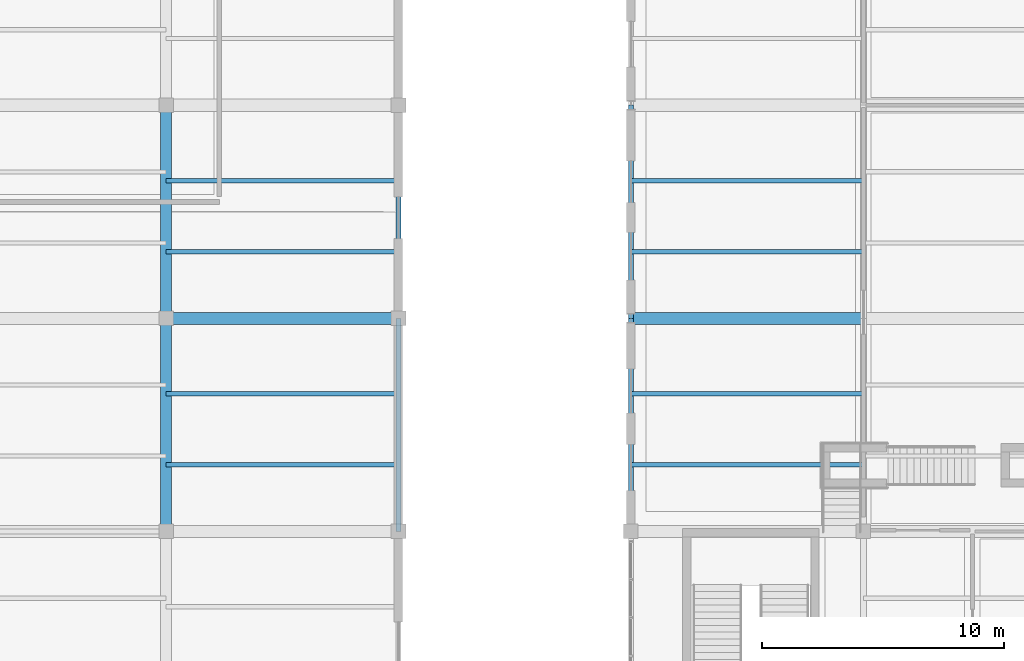
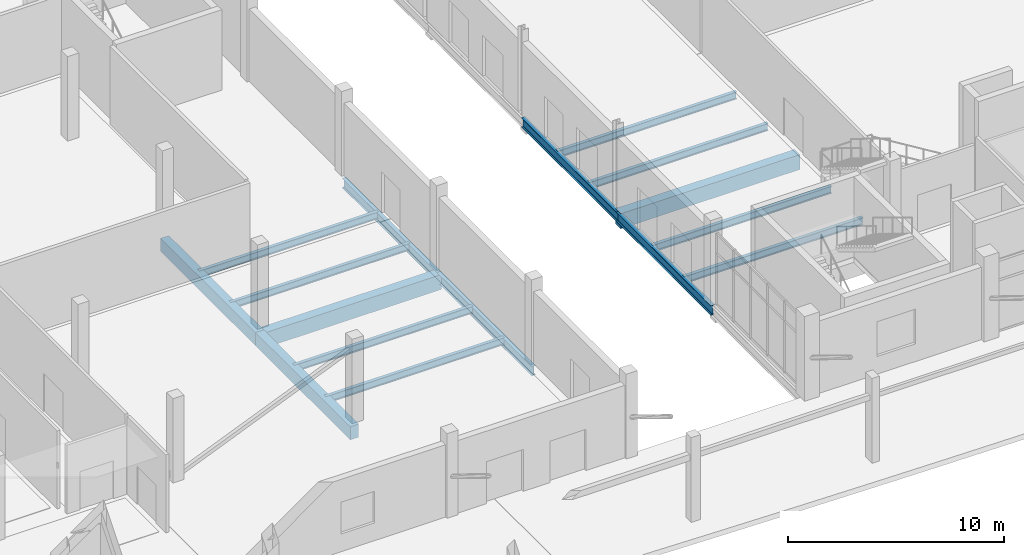
# One storey, part 25 of 116: 16 beams.
"""IFC4 building model written with IfcOpenShell, lengths in metres."""

from ifc_helpers import new_model, si_unit, direction, frame, origin, origin_2d, place, context, subcontext, project, spatial, rectangle, i_section, extrude, material, material_profile, profile_set, type_object, element, save


model = new_model("IFC4")

# Units and contexts
model_context = context("Model", 3, precision=1e-05, world=origin(), true_north=direction((0.0, 1.0)))
body_context = subcontext(model_context, "Body", "Model", "MODEL_VIEW")
ifc_project = project(units=[si_unit("LENGTHUNIT", "METRE"), si_unit("AREAUNIT", "SQUARE_METRE"), si_unit("VOLUMEUNIT", "CUBIC_METRE"), si_unit("PLANEANGLEUNIT", "RADIAN"), si_unit("MASSUNIT", "GRAM", prefix="KILO")], contexts=[model_context])

# Site, building, storey
site_placement = place(None, origin())
site = spatial("IfcSite", under=ifc_project, at=site_placement, CompositionType="ELEMENT")
building_placement = place(site_placement, origin())
building = spatial("IfcBuilding", under=site, at=building_placement, Name="Chalmorin Arch Market", CompositionType="ELEMENT")
storey_placement = place(building_placement, origin())
storey = spatial("IfcBuildingStorey", under=building, at=storey_placement, Name="L00", CompositionType="ELEMENT", Elevation=0.0)

# Beams
ifc_material_1 = material(Name="Concrete C40/50", Category="concrete")
ifc_material_profile_1 = material_profile(ifc_material_1, rectangle(XDim=0.449951171875, YDim=0.75, at=origin_2d()), Name="RC450X750")
ifc_profile_set_1 = profile_set([ifc_material_profile_1], Name="Concrete C40/50")
beam_type_1 = type_object("IfcBeamType", Name="BasementConcreteGirder-450x750", PredefinedType="BEAM", material=ifc_profile_set_1)
beam_1_placement = place(storey_placement, frame((28.800048828125, 14.800048828125, -0.72705078125), z_axis=(0.0, 1.0, 0.0), x_axis=(-1.0, 0.0, 0.0)))
element("IfcBeam", 1, at=beam_1_placement, inside=storey, type_object=beam_type_1, Name="BG-RC2-0232", PredefinedType="BEAM", context=body_context, shape_type="SweptSolid", body=[
    extrude(rectangle(XDim=0.449951171875, YDim=0.75, at=origin_2d()), origin(), (0.0, 0.0, 1.0), 8.800048828125),
])
beam_2_placement = place(storey_placement, frame((28.800048828125, 23.60009765625, -0.72705078125), z_axis=(0.0, 1.0, 0.0), x_axis=(-1.0, 0.0, 0.0)))
element("IfcBeam", 2, at=beam_2_placement, inside=storey, type_object=beam_type_1, Name="BG-RC2-0234", PredefinedType="BEAM", context=body_context, shape_type="SweptSolid", body=[
    extrude(rectangle(XDim=0.449951171875, YDim=0.75, at=origin_2d()), origin(), (0.0, 0.0, 1.0), 8.7998046875),
])
ifc_material_2 = material(Name="Steel A992 Grade 50", Category="steel")
ifc_material_profile_2 = material_profile(ifc_material_2, i_section(OverallWidth=0.208984375, OverallDepth=0.532958984375, WebThickness=0.01025390625, FlangeThickness=0.015625, FilletRadius=0.02197265625, at=origin_2d()), Name="W21X62")
ifc_profile_set_2 = profile_set([ifc_material_profile_2], Name="Steel A992 Grade 50")
beam_type_2 = type_object("IfcBeamType", Name="PerimeterSpandrelBeam-W21X62", PredefinedType="SPANDREL", material=ifc_profile_set_2)
beam_3_placement = place(storey_placement, frame((48.0, 14.800048828125, -0.548583984375), z_axis=(0.0, 1.0, 0.0), x_axis=(-1.0, 0.0, 0.0)))
element("IfcBeam", 3, at=beam_3_placement, inside=storey, type_object=beam_type_2, Name="SP-W21-0006", PredefinedType="SPANDREL", context=body_context, shape_type="SweptSolid", body=[
    extrude(i_section(OverallWidth=0.208984375, OverallDepth=0.532958984375, WebThickness=0.01025390625, FlangeThickness=0.015625, FilletRadius=0.02197265625, at=origin_2d()), origin(), (0.0, 0.0, 1.0), 8.800048828125),
])
beam_4_placement = place(storey_placement, frame((48.0, 23.60009765625, -0.548583984375), z_axis=(0.0, 1.0, 0.0), x_axis=(-1.0, 0.0, 0.0)))
element("IfcBeam", 4, at=beam_4_placement, inside=storey, type_object=beam_type_2, Name="SP-W21-0009", PredefinedType="SPANDREL", context=body_context, shape_type="SweptSolid", body=[
    extrude(i_section(OverallWidth=0.208984375, OverallDepth=0.532958984375, WebThickness=0.01025390625, FlangeThickness=0.015625, FilletRadius=0.02197265625, at=origin_2d()), origin(), (0.0, 0.0, 1.0), 8.7998046875),
])
beam_5_placement = place(storey_placement, frame((38.39990234375, 14.800048828125, -0.618408203125), z_axis=(0.0, 1.0, 0.0), x_axis=(-1.0, 0.0, 0.0)))
element("IfcBeam", 5, at=beam_5_placement, inside=storey, type_object=beam_type_2, Name="SP-W21-0243", PredefinedType="SPANDREL", context=body_context, shape_type="SweptSolid", body=[
    extrude(i_section(OverallWidth=0.208984375, OverallDepth=0.532958984375, WebThickness=0.01025390625, FlangeThickness=0.015625, FilletRadius=0.02197265625, at=origin_2d()), origin(), (0.0, 0.0, 1.0), 8.800048828125),
])
beam_6_placement = place(storey_placement, frame((38.39990234375, 23.60009765625, -0.618408203125), z_axis=(0.0, 1.0, 0.0), x_axis=(-1.0, 0.0, 0.0)))
element("IfcBeam", 6, at=beam_6_placement, inside=storey, type_object=beam_type_2, Name="SP-W21-0245", PredefinedType="SPANDREL", context=body_context, shape_type="SweptSolid", body=[
    extrude(i_section(OverallWidth=0.208984375, OverallDepth=0.532958984375, WebThickness=0.01025390625, FlangeThickness=0.015625, FilletRadius=0.02197265625, at=origin_2d()), origin(), (0.0, 0.0, 1.0), 8.7998046875),
])
ifc_material_profile_3 = material_profile(ifc_material_1, rectangle(XDim=0.5, YDim=0.85009765625, at=origin_2d()), Name="RC500X850")
ifc_profile_set_3 = profile_set([ifc_material_profile_3], Name="Concrete C40/50")
beam_type_3 = type_object("IfcBeamType", Name="PlinthConcreteGirder-500x850", PredefinedType="BEAM", material=ifc_profile_set_3)
beam_7_placement = place(storey_placement, frame((48.0, 23.60009765625, -0.70703125), z_axis=(1.0, 0.0, 0.0), x_axis=(0.0, 1.0, 0.0)))
element("IfcBeam", 7, at=beam_7_placement, inside=storey, type_object=beam_type_3, Name="BG-RC1-0005", PredefinedType="BEAM", context=body_context, shape_type="SweptSolid", body=[
    extrude(rectangle(XDim=0.5, YDim=0.85009765625, at=origin_2d()), origin(), (0.0, 0.0, 1.0), 9.60009765625),
])
beam_8_placement = place(storey_placement, frame((28.800048828125, 23.60009765625, -0.777099609375), z_axis=(1.0, 0.0, 0.0), x_axis=(0.0, 1.0, 0.0)))
element("IfcBeam", 8, at=beam_8_placement, inside=storey, type_object=beam_type_3, Name="BG-RC1-0242", PredefinedType="BEAM", context=body_context, shape_type="SweptSolid", body=[
    extrude(rectangle(XDim=0.5, YDim=0.85009765625, at=origin_2d()), origin(), (0.0, 0.0, 1.0), 9.599853515625),
])
ifc_material_profile_4 = material_profile(ifc_material_2, i_section(OverallWidth=0.177978515625, OverallDepth=0.403076171875, WebThickness=0.007568359375, FlangeThickness=0.010986328125, FilletRadius=0.01806640625, at=origin_2d()), Name="W16X36")
ifc_profile_set_4 = profile_set([ifc_material_profile_4], Name="Steel A992 Grade 50")
beam_type_4 = type_object("IfcBeamType", Name="SecondaryFloorJoist-W16X36", PredefinedType="JOIST", material=ifc_profile_set_4)
for number, where, z_axis, x_axis, name in (
    (9, (28.800048828125, 17.55322265625, -0.553466796875), (1.0, 0.0, 0.0), (0.0, 1.0, 0.0), "BJ-W16B-0280"),
    (10, (28.800048828125, 20.48681640625, -0.553466796875), (1.0, 0.0, 0.0), (0.0, 1.0, 0.0), "BJ-W16B-0281"),
    (11, (28.800048828125, 26.353271484375, -0.553466796875), (1.0, 0.0, 0.0), (0.0, 1.0, 0.0), "BJ-W16B-0282"),
    (12, (28.800048828125, 29.28662109375, -0.553466796875), (1.0, 0.0, 0.0), (0.0, 1.0, 0.0), "BJ-W16B-0283"),
):
    element("IfcBeam", number, at=place(storey_placement, frame(where, z_axis=z_axis, x_axis=x_axis)), inside=storey, type_object=beam_type_4, Name=name, PredefinedType="JOIST", context=body_context, shape_type="SweptSolid", body=[
        extrude(i_section(OverallWidth=0.177978515625, OverallDepth=0.403076171875, WebThickness=0.007568359375, FlangeThickness=0.010986328125, FilletRadius=0.01806640625, at=origin_2d()), origin(), (0.0, 0.0, 1.0), 9.599853515625),
    ])
ifc_material_profile_5 = material_profile(ifc_material_2, i_section(OverallWidth=0.178955078125, OverallDepth=0.409912109375, WebThickness=0.0087890625, FlangeThickness=0.014404296875, FilletRadius=0.01806640625, at=origin_2d()), Name="W16X45")
ifc_profile_set_5 = profile_set([ifc_material_profile_5], Name="Steel A992 Grade 50")
beam_type_5 = type_object("IfcBeamType", Name="SecondaryFloorJoist-W16X45", PredefinedType="JOIST", material=ifc_profile_set_5)
for number, where, z_axis, x_axis, name in (
    (13, (48.0, 17.55322265625, -0.487060546875), (1.0, 0.0, 0.0), (0.0, 1.0, 0.0), "BJ-W16A-0111"),
    (14, (48.0, 20.48681640625, -0.487060546875), (1.0, 0.0, 0.0), (0.0, 1.0, 0.0), "BJ-W16A-0112"),
    (15, (48.0, 26.353271484375, -0.487060546875), (1.0, 0.0, 0.0), (0.0, 1.0, 0.0), "BJ-W16A-0113"),
    (16, (48.0, 29.28662109375, -0.487060546875), (1.0, 0.0, 0.0), (0.0, 1.0, 0.0), "BJ-W16A-0114"),
):
    element("IfcBeam", number, at=place(storey_placement, frame(where, z_axis=z_axis, x_axis=x_axis)), inside=storey, type_object=beam_type_5, Name=name, PredefinedType="JOIST", context=body_context, shape_type="SweptSolid", body=[
        extrude(i_section(OverallWidth=0.178955078125, OverallDepth=0.409912109375, WebThickness=0.0087890625, FlangeThickness=0.014404296875, FilletRadius=0.01806640625, at=origin_2d()), origin(), (0.0, 0.0, 1.0), 9.60009765625),
    ])

save(model, "model.ifc")
